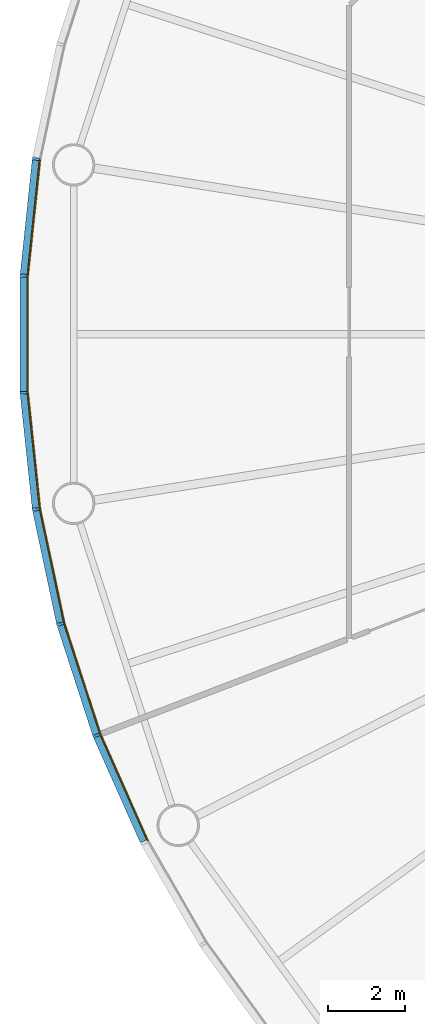
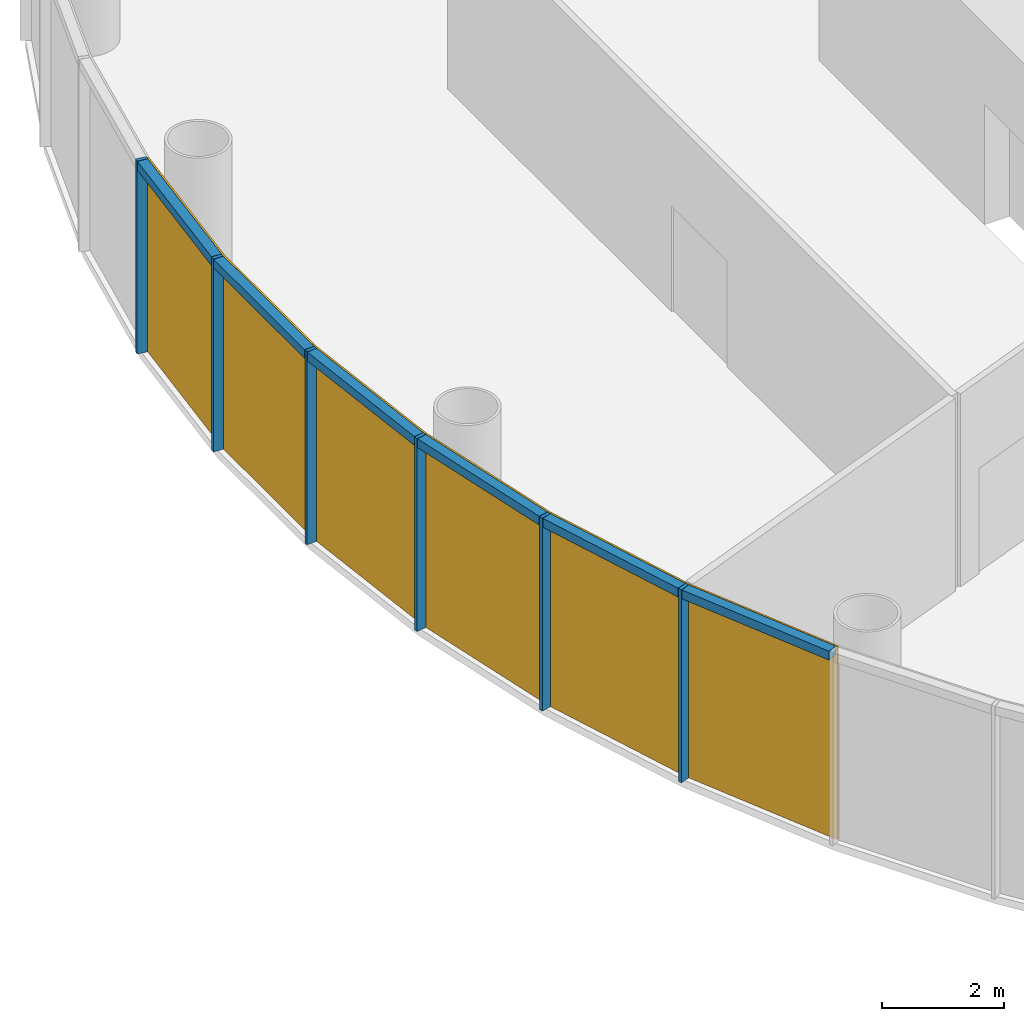
# One storey, part 7 of 12: 12 members, 2 curtain walls.
"""IFC4 building model written with IfcOpenShell, lengths in metres."""

from ifc_helpers import new_model, si_unit, direction, frame, origin, origin_2d, place, context, subcontext, project, spatial, polyline, rectangle, outline, extrude, material, layer, layer_set, material_profile, profile_set, type_object, element, aggregate, save


model = new_model("IFC4")

# Units and contexts
model_context = context("Model", 3, precision=1e-05, world=origin(), true_north=direction((0.0, 1.0)))
body_context = subcontext(model_context, "Body", "Model", "MODEL_VIEW")
ifc_project = project(units=[si_unit("LENGTHUNIT", "METRE"), si_unit("AREAUNIT", "SQUARE_METRE"), si_unit("VOLUMEUNIT", "CUBIC_METRE"), si_unit("PLANEANGLEUNIT", "RADIAN"), si_unit("MASSUNIT", "GRAM", prefix="KILO")], contexts=[model_context])

# Member
ifc_material_1 = material(Name="Anodised aluminium", Category="aluminium")
ifc_material_profile_1 = material_profile(ifc_material_1, rectangle(XDim=0.06494140625, YDim=0.18505859375, at=origin_2d()), Name="Mullion 65 x 185 mm anodised aluminium")
ifc_profile_set_1 = profile_set([ifc_material_profile_1], Name="Anodised aluminium")
member_type_1 = type_object("IfcMemberType", Name="Mullion 65 x 185 mm anodised aluminium", PredefinedType="MULLION", material=ifc_profile_set_1)
site_placement = place(None, origin())
building_placement = place(site_placement, origin())
storey_placement = place(building_placement, frame((0.0, 0.0, 148.0)))
member_1_placement = place(storey_placement, frame((61.265625, 84.551025390625, 0.0), z_axis=(0.0, 0.0, 1.0), x_axis=(-0.15643446504, -0.987688340595, 0.0)))
member_1 = element("IfcMember", 1, at=member_1_placement, type_object=member_type_1, Name="MULLION L33-27", PredefinedType="MULLION", context=body_context, shape_type="SweptSolid", body=[
    extrude(rectangle(XDim=0.06494140625, YDim=0.18505859375, at=origin_2d()), origin(), (0.0, 0.0, 1.0), 3.85009765625),
])

member_2_placement = place(storey_placement, frame((60.947265625, 81.522705078125, 0.0), z_axis=(0.0, 0.0, 1.0), x_axis=(-0.052335956243, -0.998629534755, 0.0)))
member_2 = element("IfcMember", 2, at=member_2_placement, type_object=member_type_1, Name="MULLION L33-28", PredefinedType="MULLION", context=body_context, shape_type="SweptSolid", body=[
    extrude(rectangle(XDim=0.06494140625, YDim=0.18505859375, at=origin_2d()), origin(), (0.0, 0.0, 1.0), 3.85009765625),
])

member_3_placement = place(storey_placement, frame((60.947265625, 78.477294921875, 0.0), z_axis=(0.0, 0.0, 1.0), x_axis=(0.052335956243, -0.998629534755, 0.0)))
member_3 = element("IfcMember", 3, at=member_3_placement, type_object=member_type_1, Name="MULLION L33-29", PredefinedType="MULLION", context=body_context, shape_type="SweptSolid", body=[
    extrude(rectangle(XDim=0.06494140625, YDim=0.18505859375, at=origin_2d()), origin(), (0.0, 0.0, 1.0), 3.85009765625),
])

member_4_placement = place(storey_placement, frame((61.265625, 75.448974609375, 0.0), z_axis=(0.0, 0.0, 1.0), x_axis=(0.15643446504, -0.987688340595, 0.0)))
member_4 = element("IfcMember", 4, at=member_4_placement, type_object=member_type_1, Name="MULLION L33-30", PredefinedType="MULLION", context=body_context, shape_type="SweptSolid", body=[
    extrude(rectangle(XDim=0.06494140625, YDim=0.18505859375, at=origin_2d()), origin(), (0.0, 0.0, 1.0), 3.85009765625),
])

member_5_placement = place(storey_placement, frame((61.898681640625, 72.47021484375, 0.0), z_axis=(0.0, 0.0, 1.0), x_axis=(0.258819045103, -0.965925826289, 0.0)))
member_5 = element("IfcMember", 5, at=member_5_placement, type_object=member_type_1, Name="MULLION L33-31", PredefinedType="MULLION", context=body_context, shape_type="SweptSolid", body=[
    extrude(rectangle(XDim=0.06494140625, YDim=0.18505859375, at=origin_2d()), origin(), (0.0, 0.0, 1.0), 3.85009765625),
])

member_6_placement = place(storey_placement, frame((62.83984375, 69.57421875, 0.0), z_axis=(0.0, 0.0, 1.0), x_axis=(0.358367949545, -0.933580426497, 0.0)))
member_6 = element("IfcMember", 6, at=member_6_placement, type_object=member_type_1, Name="MULLION L33-32", PredefinedType="MULLION", context=body_context, shape_type="SweptSolid", body=[
    extrude(rectangle(XDim=0.06494140625, YDim=0.18505859375, at=origin_2d()), origin(), (0.0, 0.0, 1.0), 3.85009765625),
])

ifc_material_2 = material(Name="Anodised aluminium", Category="aluminium")
ifc_material_profile_2 = material_profile(ifc_material_2, rectangle(XDim=0.18505859375, YDim=0.175048828125, at=origin_2d()), Name="Transom 175 x 185 mm anodised aluminium")
ifc_profile_set_2 = profile_set([ifc_material_profile_2], Name="Anodised aluminium")
member_type_2 = type_object("IfcMemberType", Name="Transom 175 x 185 mm anodised aluminium", PredefinedType="USERDEFINED", material=ifc_profile_set_2)
member_7_placement = place(storey_placement, frame((61.26171875, 84.513916015625, 3.762451171875), z_axis=(-0.104547872381, -0.994519855197, 0.0), x_axis=(0.994519855197, -0.104547872381, 0.0)))
member_7 = element("IfcMember", 7, at=member_7_placement, type_object=member_type_2, Name="TRANSOM L33-27", ObjectType="TRANSOM", PredefinedType="USERDEFINED", context=body_context, shape_type="SweptSolid", body=[
    extrude(rectangle(XDim=0.18505859375, YDim=0.175048828125, at=origin_2d()), origin(), (0.0, 0.0, 1.0), 2.970458984375),
])

member_8_placement = place(storey_placement, frame((60.947265625, 81.4853515625, 3.762451171875), z_axis=(0.0, -1.0, 0.0), x_axis=(1.0, 0.0, 0.0)))
member_8 = element("IfcMember", 8, at=member_8_placement, type_object=member_type_2, Name="TRANSOM L33-28", ObjectType="TRANSOM", PredefinedType="USERDEFINED", context=body_context, shape_type="SweptSolid", body=[
    extrude(rectangle(XDim=0.18505859375, YDim=0.175048828125, at=origin_2d()), origin(), (0.0, 0.0, 1.0), 2.970703125),
])

member_9_placement = place(storey_placement, frame((60.951171875, 78.440185546875, 3.762451171875), z_axis=(0.104547872381, -0.994519855197, 0.0), x_axis=(0.994519855197, 0.104547872381, 0.0)))
member_9 = element("IfcMember", 9, at=member_9_placement, type_object=member_type_2, Name="TRANSOM L33-29", ObjectType="TRANSOM", PredefinedType="USERDEFINED", context=body_context, shape_type="SweptSolid", body=[
    extrude(rectangle(XDim=0.18505859375, YDim=0.175048828125, at=origin_2d()), origin(), (0.0, 0.0, 1.0), 2.970458984375),
])

member_10_placement = place(storey_placement, frame((61.2734375, 75.412353515625, 3.762451171875), z_axis=(0.207861704825, -0.97815822425, 0.0), x_axis=(0.97815822425, 0.207861704825, 0.0)))
member_10 = element("IfcMember", 10, at=member_10_placement, type_object=member_type_2, Name="TRANSOM L33-30", ObjectType="TRANSOM", PredefinedType="USERDEFINED", context=body_context, shape_type="SweptSolid", body=[
    extrude(rectangle(XDim=0.18505859375, YDim=0.175048828125, at=origin_2d()), origin(), (0.0, 0.0, 1.0), 2.970458984375),
])

member_11_placement = place(storey_placement, frame((61.91015625, 72.434814453125, 3.762451171875), z_axis=(0.30901917063, -0.951055809184, 0.0), x_axis=(0.951055809184, 0.30901917063, 0.0)))
member_11 = element("IfcMember", 11, at=member_11_placement, type_object=member_type_2, Name="TRANSOM L33-31", ObjectType="TRANSOM", PredefinedType="USERDEFINED", context=body_context, shape_type="SweptSolid", body=[
    extrude(rectangle(XDim=0.18505859375, YDim=0.175048828125, at=origin_2d()), origin(), (0.0, 0.0, 1.0), 2.970703125),
])

member_12_placement = place(storey_placement, frame((62.85498046875, 69.5400390625, 3.762451171875), z_axis=(0.406687471156, -0.913567348806, 0.0), x_axis=(0.913567348806, 0.406687471156, 0.0)))
member_12 = element("IfcMember", 12, at=member_12_placement, type_object=member_type_2, Name="TRANSOM L33-32", ObjectType="TRANSOM", PredefinedType="USERDEFINED", context=body_context, shape_type="SweptSolid", body=[
    extrude(rectangle(XDim=0.18505859375, YDim=0.175048828125, at=origin_2d()), origin(), (0.0, 0.0, 1.0), 2.970458984375),
])

# Site, building, storey
site = spatial("IfcSite", under=ifc_project, at=site_placement, CompositionType="ELEMENT")
building = spatial("IfcBuilding", under=site, at=building_placement, Name="Entoto Ring Tower", CompositionType="ELEMENT")
storey = spatial("IfcBuildingStorey", under=building, at=storey_placement, Name="L33", CompositionType="ELEMENT", Elevation=148.0)

# Curtain wall
ifc_material_3 = material(Name="Clear low-iron glass", Category="glass")
ifc_layer = layer(ifc_material_3, 0.033935546875)
ifc_layer_set = layer_set([ifc_layer], Name="Clear low-iron glass")
curtain_wall_type = type_object("IfcCurtainWallType", Name="Curtain wall system CW3 glazing 34 mm", PredefinedType="NOTDEFINED", material=ifc_layer_set)
curtain_wall_1_placement = place(storey_placement, origin())
curtain_wall_1 = element("IfcCurtainWall", 13, at=curtain_wall_1_placement, inside=storey, type_object=curtain_wall_type, Name="CW3 L33-10", PredefinedType="NOTDEFINED", context=body_context, shape_type="SweptSolid", body=[
    extrude(outline(polyline([(61.35693359375, 84.53662109375), (61.039794921875, 81.517822265625), (61.039794921875, 78.482177734375), (61.35693359375, 75.46337890625), (61.390625, 75.46875), (61.07373046875, 78.484130859375), (61.07373046875, 81.515869140625), (61.390625, 84.53125), (61.35693359375, 84.53662109375)])), origin(), (0.0, 0.0, 1.0), 3.85009765625),
])

aggregate(curtain_wall_1, [member_1, member_2, member_3, member_7, member_8, member_9])

curtain_wall_2_placement = place(storey_placement, origin())
curtain_wall_2 = element("IfcCurtainWall", 14, at=curtain_wall_2_placement, inside=storey, type_object=curtain_wall_type, Name="CW3 L33-11", PredefinedType="NOTDEFINED", context=body_context, shape_type="SweptSolid", body=[
    extrude(outline(polyline([(61.35693359375, 75.46337890625), (61.988037109375, 72.494140625), (62.92626953125, 69.607421875), (64.160888671875, 66.834228515625), (64.191162109375, 66.849853515625), (62.9580078125, 69.61962890625), (62.02099609375, 72.503173828125), (61.390625, 75.46875), (61.35693359375, 75.46337890625)])), origin(), (0.0, 0.0, 1.0), 3.85009765625),
])

aggregate(curtain_wall_2, [member_4, member_5, member_6, member_10, member_11, member_12])

save(model, "model.ifc")
